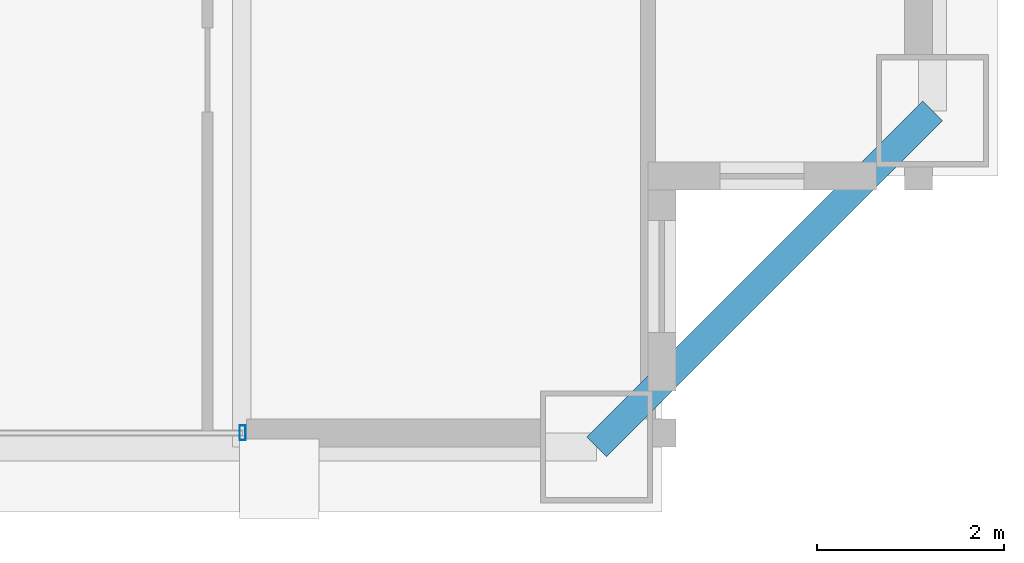
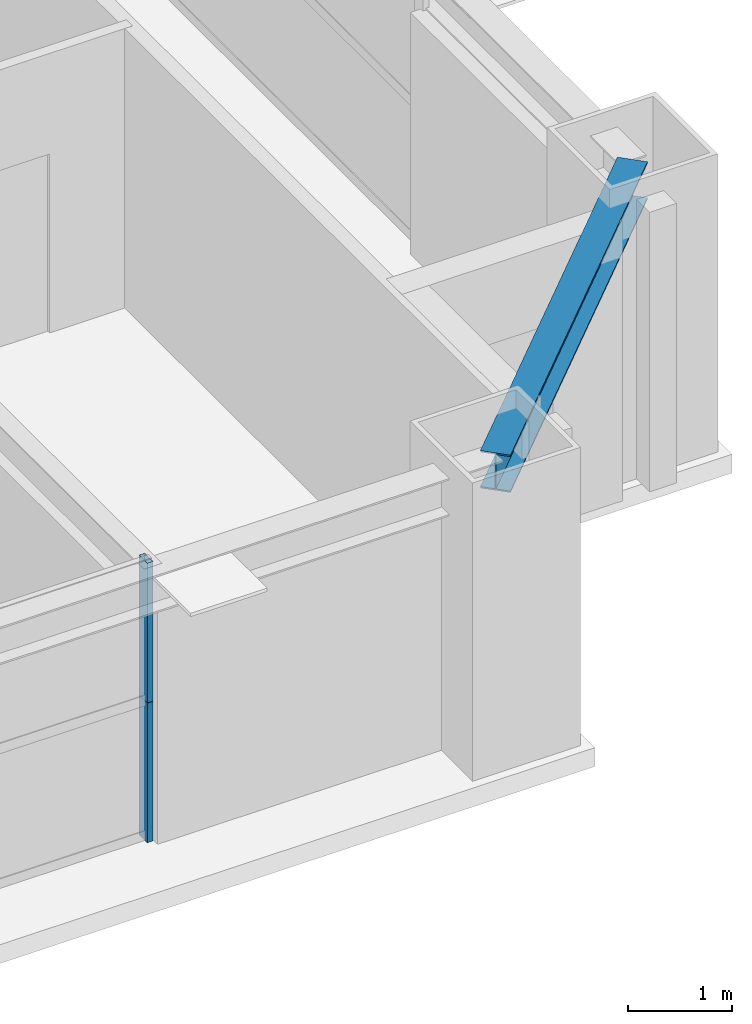
# One storey, part 15 of 36: 2 members, 1 beam, 1 element without a shape of its own.
"""IFC4 building model written with IfcOpenShell, lengths in metres."""

from ifc_helpers import new_model, si_unit, direction, frame, origin, origin_2d, place, context, subcontext, project, spatial, hollow_rectangle, i_section, extrude, source, transform, mapped, material, layer, layer_set, material_profile, profile_set, type_object, element, aggregate, save


model = new_model("IFC4")

# Units and contexts
model_context = context("Model", 3, precision=1e-05, world=origin(), true_north=direction((0.0, 1.0)))
body_context = subcontext(model_context, "Body", "Model", "MODEL_VIEW")
ifc_project = project(units=[si_unit("LENGTHUNIT", "METRE"), si_unit("AREAUNIT", "SQUARE_METRE"), si_unit("VOLUMEUNIT", "CUBIC_METRE"), si_unit("PLANEANGLEUNIT", "RADIAN"), si_unit("MASSUNIT", "GRAM", prefix="KILO"), si_unit("THERMODYNAMICTEMPERATUREUNIT", "KELVIN"), si_unit("POWERUNIT", "WATT")], contexts=[model_context])

# Site, building, storey
site_placement = place(None, origin())
site = spatial("IfcSite", under=ifc_project, at=site_placement, CompositionType="ELEMENT")
building_placement = place(site_placement, origin())
building = spatial("IfcBuilding", under=site, at=building_placement, Name="Yuzanri Waterfront Tower", CompositionType="ELEMENT")
storey_placement = place(building_placement, frame((0.0, 0.0, 224.10009765625)))
storey = spatial("IfcBuildingStorey", under=building, at=storey_placement, Name="L59", CompositionType="ELEMENT", Elevation=224.10009765625)

# Beam
ifc_material_1 = material(Name="Steel Q355B", Category="steel")
ifc_material_profile_1 = material_profile(ifc_material_1, i_section(OverallWidth=0.300048828125, OverallDepth=0.43994140625, WebThickness=0.010986328125, FlangeThickness=0.01806640625, at=origin_2d()), Name="HM 440x300x11x18")
ifc_profile_set_1 = profile_set([ifc_material_profile_1], Name="Steel Q355B")
beam_type = type_object("IfcBeamType", Name="Perimeter Spandrel Q355B HM 440x300", PredefinedType="SPANDREL", material=ifc_profile_set_1)
shared_shape_1 = source(origin(), body_context, "Body", "SweptSolid", [
    extrude(i_section(OverallWidth=0.300048828125, OverallDepth=0.43994140625, WebThickness=0.010986328125, FlangeThickness=0.01806640625, at=origin_2d()), origin(), (0.0, 0.0, 1.0), 5.09130859375),
])
beam_placement = place(storey_placement, frame((54.0, 5.199951171875, 3.059814453125), z_axis=(0.707106781187, 0.707106781187, 0.0), x_axis=(-0.707106781187, 0.707106781187, 0.0)))
element("IfcBeam", 1, at=beam_placement, inside=storey, type_object=beam_type, Name="L59 Perimeter Spandrel S3-E1", PredefinedType="SPANDREL", context=body_context, shape_type="MappedRepresentation", body=[
    mapped(shared_shape_1, transform((0.0, 0.0, 0.0), scale=1.0)),
])

# Curtain wall, members
ifc_material_2 = material(Name="Anodized Architectural Bronze", Category="metal")
ifc_layer = layer(ifc_material_2, 0.159912109375)
ifc_layer_set = layer_set([ifc_layer], Name="Anodized Architectural Bronze")
curtain_wall_type = type_object("IfcCurtainWallType", Name="Anodized Bronze Mid-Rise Residential Acoustic Unitized Curtain Wall 7200", PredefinedType="NOTDEFINED", material=ifc_layer_set)
curtain_wall_placement = place(storey_placement, origin())
curtain_wall = element("IfcCurtainWall", 2, at=curtain_wall_placement, inside=storey, type_object=curtain_wall_type, Name="L59 Curtain Wall CW-L59-SR", PredefinedType="NOTDEFINED")
ifc_material_3 = material(Name="Anodized Architectural Bronze", Category="metal")
ifc_material_profile_2 = material_profile(ifc_material_3, hollow_rectangle(XDim=0.06494140625, YDim=0.159912109375, WallThickness=0.00341796875, at=origin_2d()), Name="CWM 65x160")
ifc_profile_set_2 = profile_set([ifc_material_profile_2], Name="Anodized Architectural Bronze")
member_type = type_object("IfcMemberType", Name="Anodized Bronze Upper-Zone Curtain-Wall Mullion 65x160", PredefinedType="MULLION", material=ifc_profile_set_2)
shared_shape_2 = source(origin(), body_context, "Body", "SweptSolid", [
    extrude(hollow_rectangle(XDim=0.06494140625, YDim=0.159912109375, WallThickness=0.00341796875, at=origin_2d()), origin(), (0.0, 0.0, 1.0), 1.637939453125),
])
member_1_placement = place(storey_placement, frame((50.2099609375, 5.35009765625, 0.0), z_axis=(0.0, 0.0, 1.0), x_axis=(1.0, 0.0, 0.0)))
member_1 = element("IfcMember", 3, at=member_1_placement, type_object=member_type, Name="CW-L59-SR Lower Mullion 02", PredefinedType="MULLION", context=body_context, shape_type="MappedRepresentation", body=[
    mapped(shared_shape_2, transform((0.0, 0.0, 0.0), scale=1.0)),
])
member_2_placement = place(storey_placement, frame((50.2099609375, 5.35009765625, 1.641845703125), z_axis=(0.0, 0.0, 1.0), x_axis=(1.0, 0.0, 0.0)))
member_2 = element("IfcMember", 4, at=member_2_placement, type_object=member_type, Name="CW-L59-SR Upper Mullion 02", PredefinedType="MULLION", context=body_context, shape_type="MappedRepresentation", body=[
    mapped(shared_shape_2, transform((0.0, 0.0, 0.0), scale=1.0)),
])
aggregate(curtain_wall, [member_1, member_2])

save(model, "model.ifc")
